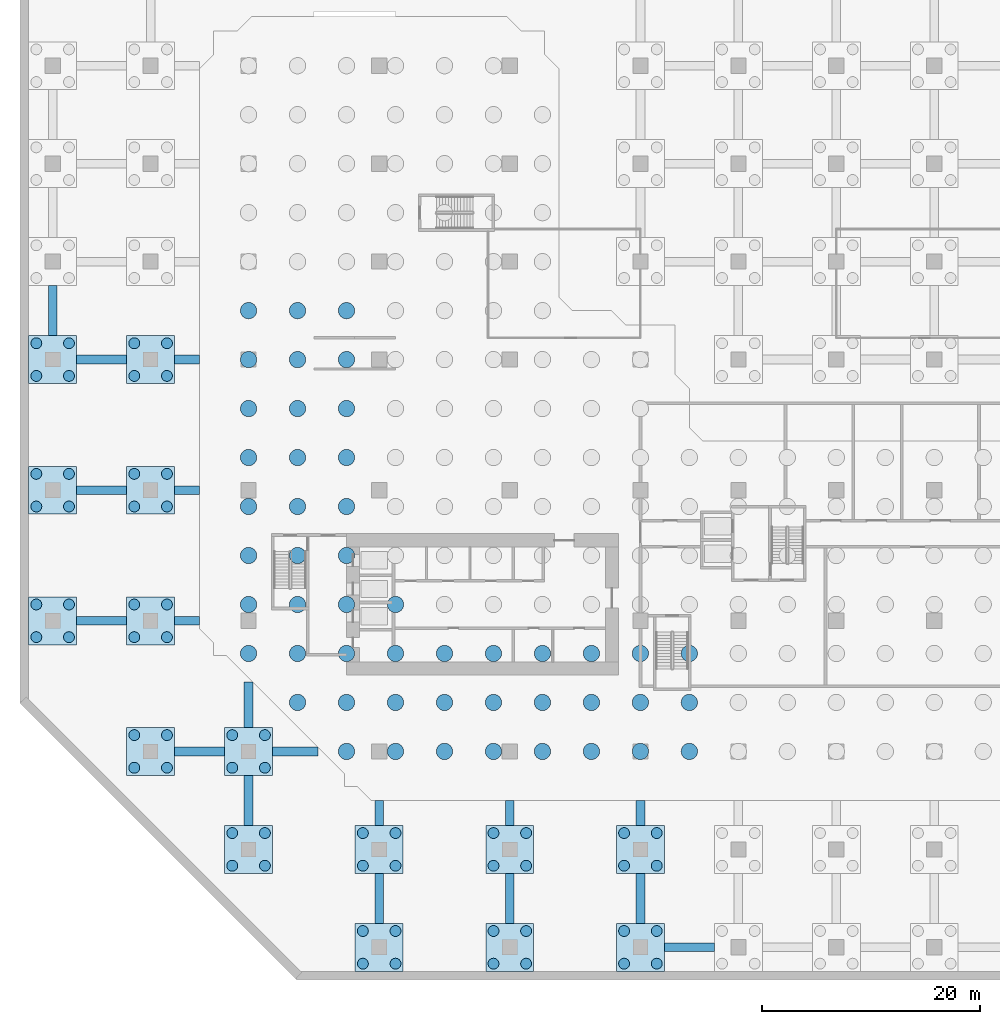
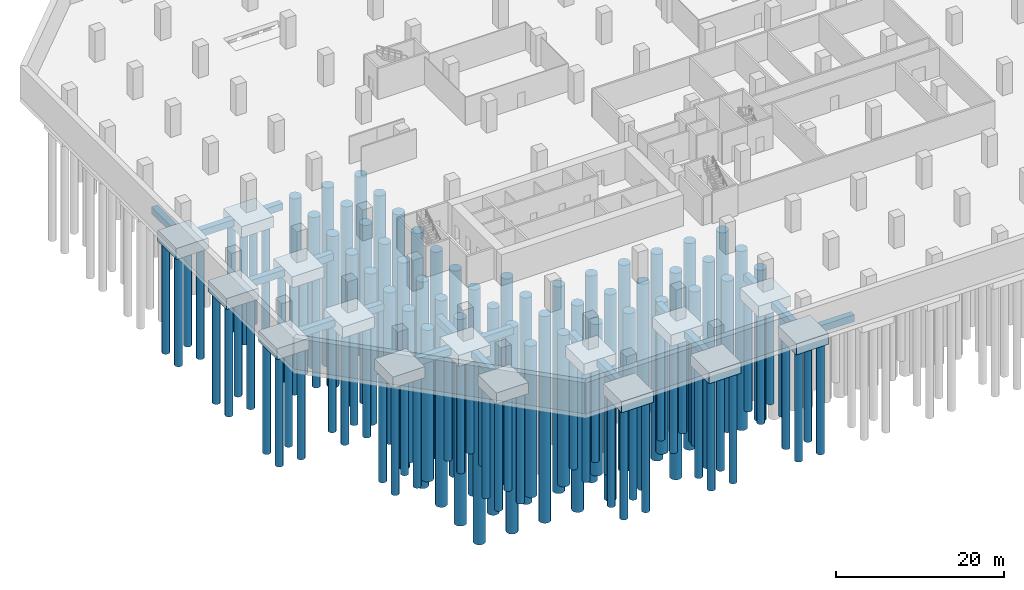
# One storey, part 1 of 13: 109 piles, 33 footings.
"""IFC4 building model written with IfcOpenShell, lengths in metres."""

from ifc_helpers import new_model, si_unit, direction, frame, origin, origin_2d, place, context, subcontext, project, spatial, polyline, circle, outline, extrude, material, layer, layer_set, material_profile, profile_set, type_object, element, save


model = new_model("IFC4")

# Units and contexts
model_context = context("Model", 3, precision=1e-05, world=origin(), true_north=direction((0.0, 1.0)))
body_context = subcontext(model_context, "Body", "Model", "MODEL_VIEW")
ifc_project = project(units=[si_unit("LENGTHUNIT", "METRE"), si_unit("AREAUNIT", "SQUARE_METRE"), si_unit("VOLUMEUNIT", "CUBIC_METRE"), si_unit("PLANEANGLEUNIT", "RADIAN"), si_unit("MASSUNIT", "GRAM", prefix="KILO")], contexts=[model_context])

# Site, building, storey
site_placement = place(None, origin())
site = spatial("IfcSite", under=ifc_project, at=site_placement, CompositionType="ELEMENT")
building_placement = place(site_placement, origin())
building = spatial("IfcBuilding", under=site, at=building_placement, Name="Chenar Terraces", CompositionType="ELEMENT")
storey_placement = place(building_placement, frame((0.0, 0.0, -13.5)))
storey = spatial("IfcBuildingStorey", under=building, at=storey_placement, Name="B3", CompositionType="ELEMENT", Elevation=-13.5)

# Piles
ifc_material_1 = material(Name="Concrete C40/50 sulfate-resisting", Category="concrete")
ifc_material_profile_1 = material_profile(ifc_material_1, circle(Radius=0.5, at=origin_2d()), Name="BP 1000")
ifc_profile_set_1 = profile_set([ifc_material_profile_1], Name="Concrete C40/50 sulfate-resisting")
pile_type_1 = type_object("IfcPileType", Name="Bored pile 1000", PredefinedType="BORED", material=ifc_profile_set_1)
for number, where, z_axis, x_axis, name in (
    (1, (-19.5, 10.5, -2.10009765625), (0.0, 0.0, -1.0), (1.0, 0.0, 0.0), "Pile 3/F 1"),
    (2, (-16.5, 10.5, -2.10009765625), (0.0, 0.0, -1.0), (1.0, 0.0, 0.0), "Pile 3/F 2"),
    (3, (-19.5, 13.5, -2.10009765625), (0.0, 0.0, -1.0), (1.0, 0.0, 0.0), "Pile 3/F 3"),
    (4, (-16.5, 13.5, -2.10009765625), (0.0, 0.0, -1.0), (1.0, 0.0, 0.0), "Pile 3/F 4"),
    (5, (-19.5, 22.5, -2.10009765625), (0.0, 0.0, -1.0), (1.0, 0.0, 0.0), "Pile 3/G 1"),
    (6, (-16.5, 22.5, -2.10009765625), (0.0, 0.0, -1.0), (1.0, 0.0, 0.0), "Pile 3/G 2"),
    (7, (-19.5, 25.5, -2.10009765625), (0.0, 0.0, -1.0), (1.0, 0.0, 0.0), "Pile 3/G 3"),
    (8, (-16.5, 25.5, -2.10009765625), (0.0, 0.0, -1.0), (1.0, 0.0, 0.0), "Pile 3/G 4"),
    (9, (-19.5, 34.5, -2.10009765625), (0.0, 0.0, -1.0), (1.0, 0.0, 0.0), "Pile 3/H 1"),
    (10, (-16.5, 34.5, -2.10009765625), (0.0, 0.0, -1.0), (1.0, 0.0, 0.0), "Pile 3/H 2"),
    (11, (-19.5, 37.5, -2.10009765625), (0.0, 0.0, -1.0), (1.0, 0.0, 0.0), "Pile 3/H 3"),
    (12, (-16.5, 37.5, -2.10009765625), (0.0, 0.0, -1.0), (1.0, 0.0, 0.0), "Pile 3/H 4"),
    (13, (-10.5, -1.5, -2.10009765625), (0.0, 0.0, -1.0), (1.0, 0.0, 0.0), "Pile 4/E 1"),
    (14, (-7.5, -1.5, -2.10009765625), (0.0, 0.0, -1.0), (1.0, 0.0, 0.0), "Pile 4/E 2"),
    (15, (-10.5, 1.5, -2.10009765625), (0.0, 0.0, -1.0), (1.0, 0.0, 0.0), "Pile 4/E 3"),
    (16, (-7.5, 1.5, -2.10009765625), (0.0, 0.0, -1.0), (1.0, 0.0, 0.0), "Pile 4/E 4"),
    (17, (-10.5, 10.5, -2.10009765625), (0.0, 0.0, -1.0), (1.0, 0.0, 0.0), "Pile 4/F 1"),
    (18, (-7.5, 10.5, -2.10009765625), (0.0, 0.0, -1.0), (1.0, 0.0, 0.0), "Pile 4/F 2"),
    (19, (-10.5, 13.5, -2.10009765625), (0.0, 0.0, -1.0), (1.0, 0.0, 0.0), "Pile 4/F 3"),
    (20, (-7.5, 13.5, -2.10009765625), (0.0, 0.0, -1.0), (1.0, 0.0, 0.0), "Pile 4/F 4"),
    (21, (-10.5, 22.5, -2.10009765625), (0.0, 0.0, -1.0), (1.0, 0.0, 0.0), "Pile 4/G 1"),
    (22, (-7.5, 22.5, -2.10009765625), (0.0, 0.0, -1.0), (1.0, 0.0, 0.0), "Pile 4/G 2"),
    (23, (-10.5, 25.5, -2.10009765625), (0.0, 0.0, -1.0), (1.0, 0.0, 0.0), "Pile 4/G 3"),
    (24, (-7.5, 25.5, -2.10009765625), (0.0, 0.0, -1.0), (1.0, 0.0, 0.0), "Pile 4/G 4"),
    (25, (-10.5, 34.5, -2.10009765625), (0.0, 0.0, -1.0), (1.0, 0.0, 0.0), "Pile 4/H 1"),
    (26, (-7.5, 34.5, -2.10009765625), (0.0, 0.0, -1.0), (1.0, 0.0, 0.0), "Pile 4/H 2"),
    (27, (-10.5, 37.5, -2.10009765625), (0.0, 0.0, -1.0), (1.0, 0.0, 0.0), "Pile 4/H 3"),
    (28, (-7.5, 37.5, -2.10009765625), (0.0, 0.0, -1.0), (1.0, 0.0, 0.0), "Pile 4/H 4"),
    (29, (-1.5, -10.5, -2.10009765625), (0.0, 0.0, -1.0), (1.0, 0.0, 0.0), "Pile 5/D 1"),
    (30, (1.5, -10.5, -2.10009765625), (0.0, 0.0, -1.0), (1.0, 0.0, 0.0), "Pile 5/D 2"),
    (31, (-1.5, -7.5, -2.10009765625), (0.0, 0.0, -1.0), (1.0, 0.0, 0.0), "Pile 5/D 3"),
    (32, (1.5, -7.5, -2.10009765625), (0.0, 0.0, -1.0), (1.0, 0.0, 0.0), "Pile 5/D 4"),
    (33, (-1.5, -1.5, -2.10009765625), (0.0, 0.0, -1.0), (1.0, 0.0, 0.0), "Pile 5/E 1"),
    (34, (1.5, -1.5, -2.10009765625), (0.0, 0.0, -1.0), (1.0, 0.0, 0.0), "Pile 5/E 2"),
    (35, (-1.5, 1.5, -2.10009765625), (0.0, 0.0, -1.0), (1.0, 0.0, 0.0), "Pile 5/E 3"),
    (36, (1.5, 1.5, -2.10009765625), (0.0, 0.0, -1.0), (1.0, 0.0, 0.0), "Pile 5/E 4"),
    (37, (10.5, -19.5, -2.10009765625), (0.0, 0.0, -1.0), (1.0, 0.0, 0.0), "Pile 6/C 1"),
    (38, (13.5, -19.5, -2.10009765625), (0.0, 0.0, -1.0), (1.0, 0.0, 0.0), "Pile 6/C 2"),
    (39, (10.5, -16.5, -2.10009765625), (0.0, 0.0, -1.0), (1.0, 0.0, 0.0), "Pile 6/C 3"),
    (40, (13.5, -16.5, -2.10009765625), (0.0, 0.0, -1.0), (1.0, 0.0, 0.0), "Pile 6/C 4"),
    (41, (10.5, -10.5, -2.10009765625), (0.0, 0.0, -1.0), (1.0, 0.0, 0.0), "Pile 6/D 1"),
    (42, (13.5, -10.5, -2.10009765625), (0.0, 0.0, -1.0), (1.0, 0.0, 0.0), "Pile 6/D 2"),
    (43, (10.5, -7.5, -2.10009765625), (0.0, 0.0, -1.0), (1.0, 0.0, 0.0), "Pile 6/D 3"),
    (44, (13.5, -7.5, -2.10009765625), (0.0, 0.0, -1.0), (1.0, 0.0, 0.0), "Pile 6/D 4"),
    (45, (22.5, -19.5, -2.10009765625), (0.0, 0.0, -1.0), (1.0, 0.0, 0.0), "Pile 7/C 1"),
    (46, (25.5, -19.5, -2.10009765625), (0.0, 0.0, -1.0), (1.0, 0.0, 0.0), "Pile 7/C 2"),
    (47, (22.5, -16.5, -2.10009765625), (0.0, 0.0, -1.0), (1.0, 0.0, 0.0), "Pile 7/C 3"),
    (48, (25.5, -16.5, -2.10009765625), (0.0, 0.0, -1.0), (1.0, 0.0, 0.0), "Pile 7/C 4"),
    (49, (22.5, -10.5, -2.10009765625), (0.0, 0.0, -1.0), (1.0, 0.0, 0.0), "Pile 7/D 1"),
    (50, (25.5, -10.5, -2.10009765625), (0.0, 0.0, -1.0), (1.0, 0.0, 0.0), "Pile 7/D 2"),
    (51, (22.5, -7.5, -2.10009765625), (0.0, 0.0, -1.0), (1.0, 0.0, 0.0), "Pile 7/D 3"),
    (52, (25.5, -7.5, -2.10009765625), (0.0, 0.0, -1.0), (1.0, 0.0, 0.0), "Pile 7/D 4"),
    (53, (34.5, -19.5, -2.10009765625), (0.0, 0.0, -1.0), (1.0, 0.0, 0.0), "Pile 8/C 1"),
    (54, (37.5, -19.5, -2.10009765625), (0.0, 0.0, -1.0), (1.0, 0.0, 0.0), "Pile 8/C 2"),
    (55, (34.5, -16.5, -2.10009765625), (0.0, 0.0, -1.0), (1.0, 0.0, 0.0), "Pile 8/C 3"),
    (56, (37.5, -16.5, -2.10009765625), (0.0, 0.0, -1.0), (1.0, 0.0, 0.0), "Pile 8/C 4"),
    (57, (34.5, -10.5, -2.10009765625), (0.0, 0.0, -1.0), (1.0, 0.0, 0.0), "Pile 8/D 1"),
    (58, (37.5, -10.5, -2.10009765625), (0.0, 0.0, -1.0), (1.0, 0.0, 0.0), "Pile 8/D 2"),
    (59, (34.5, -7.5, -2.10009765625), (0.0, 0.0, -1.0), (1.0, 0.0, 0.0), "Pile 8/D 3"),
    (60, (37.5, -7.5, -2.10009765625), (0.0, 0.0, -1.0), (1.0, 0.0, 0.0), "Pile 8/D 4"),
):
    element("IfcPile", number, at=place(storey_placement, frame(where, z_axis=z_axis, x_axis=x_axis)), inside=storey, type_object=pile_type_1, Name=name, PredefinedType="BORED", context=body_context, shape_type="SweptSolid", body=[
        extrude(circle(Radius=0.5, at=origin_2d()), origin(), (0.0, 0.0, 1.0), 16.0),
    ])
ifc_material_2 = material(Name="Concrete C40/50 sulfate-resisting", Category="concrete")
ifc_material_profile_2 = material_profile(ifc_material_2, circle(Radius=0.75, at=origin_2d()), Name="BP 1500")
ifc_profile_set_2 = profile_set([ifc_material_profile_2], Name="Concrete C40/50 sulfate-resisting")
pile_type_2 = type_object("IfcPileType", Name="Bored pile 1500", PredefinedType="BORED", material=ifc_profile_set_2)
for number, where, z_axis, x_axis, name in (
    (61, (9.0, 0.0, -4.0), (0.0, 0.0, -1.0), (1.0, 0.0, 0.0), "Raft pile 1"),
    (62, (13.5, 0.0, -4.0), (0.0, 0.0, -1.0), (1.0, 0.0, 0.0), "Raft pile 2"),
    (63, (18.0, 0.0, -4.0), (0.0, 0.0, -1.0), (1.0, 0.0, 0.0), "Raft pile 3"),
    (64, (22.5, 0.0, -4.0), (0.0, 0.0, -1.0), (1.0, 0.0, 0.0), "Raft pile 4"),
    (65, (27.0, 0.0, -4.0), (0.0, 0.0, -1.0), (1.0, 0.0, 0.0), "Raft pile 5"),
    (66, (31.5, 0.0, -4.0), (0.0, 0.0, -1.0), (1.0, 0.0, 0.0), "Raft pile 6"),
    (67, (36.0, 0.0, -4.0), (0.0, 0.0, -1.0), (1.0, 0.0, 0.0), "Raft pile 7"),
    (68, (40.5, 0.0, -4.0), (0.0, 0.0, -1.0), (1.0, 0.0, 0.0), "Raft pile 8"),
):
    element("IfcPile", number, at=place(storey_placement, frame(where, z_axis=z_axis, x_axis=x_axis)), inside=storey, type_object=pile_type_2, Name=name, PredefinedType="BORED", context=body_context, shape_type="SweptSolid", body=[
        extrude(circle(Radius=0.75, at=origin_2d()), origin(), (0.0, 0.0, 1.0), 22.0),
    ])
for number, where, z_axis, x_axis, name in (
    (69, (4.5, 4.5, -4.0), (0.0, 0.0, -1.0), (1.0, 0.0, 0.0), "Raft pile 16"),
    (70, (9.0, 4.5, -4.0), (0.0, 0.0, -1.0), (1.0, 0.0, 0.0), "Raft pile 17"),
    (71, (13.5, 4.5, -4.0), (0.0, 0.0, -1.0), (1.0, 0.0, 0.0), "Raft pile 18"),
    (72, (18.0, 4.5, -4.0), (0.0, 0.0, -1.0), (1.0, 0.0, 0.0), "Raft pile 19"),
    (73, (22.5, 4.5, -4.0), (0.0, 0.0, -1.0), (1.0, 0.0, 0.0), "Raft pile 20"),
    (74, (27.0, 4.5, -4.0), (0.0, 0.0, -1.0), (1.0, 0.0, 0.0), "Raft pile 21"),
    (75, (31.5, 4.5, -4.0), (0.0, 0.0, -1.0), (1.0, 0.0, 0.0), "Raft pile 22"),
    (76, (36.0, 4.5, -4.0), (0.0, 0.0, -1.0), (1.0, 0.0, 0.0), "Raft pile 23"),
):
    element("IfcPile", number, at=place(storey_placement, frame(where, z_axis=z_axis, x_axis=x_axis)), inside=storey, type_object=pile_type_2, Name=name, PredefinedType="BORED", context=body_context, shape_type="SweptSolid", body=[
        extrude(circle(Radius=0.75, at=origin_2d()), origin(), (0.0, 0.0, 1.0), 30.0),
    ])
pile_1_placement = place(storey_placement, frame((40.5, 4.5, -4.0), z_axis=(0.0, 0.0, -1.0), x_axis=(1.0, 0.0, 0.0)))
element("IfcPile", 77, at=pile_1_placement, inside=storey, type_object=pile_type_2, Name="Raft pile 24", PredefinedType="BORED", context=body_context, shape_type="SweptSolid", body=[
    extrude(circle(Radius=0.75, at=origin_2d()), origin(), (0.0, 0.0, 1.0), 26.0),
])
pile_2_placement = place(storey_placement, frame((0.0, 9.0, -4.0), z_axis=(0.0, 0.0, -1.0), x_axis=(1.0, 0.0, 0.0)))
element("IfcPile", 78, at=pile_2_placement, inside=storey, type_object=pile_type_2, Name="Raft pile 32", PredefinedType="BORED", context=body_context, shape_type="SweptSolid", body=[
    extrude(circle(Radius=0.75, at=origin_2d()), origin(), (0.0, 0.0, 1.0), 22.0),
])
for number, where, z_axis, x_axis, name in (
    (79, (4.5, 9.0, -4.0), (0.0, 0.0, -1.0), (1.0, 0.0, 0.0), "Raft pile 33"),
    (80, (9.0, 9.0, -4.0), (0.0, 0.0, -1.0), (1.0, 0.0, 0.0), "Raft pile 34"),
    (81, (13.5, 9.0, -4.0), (0.0, 0.0, -1.0), (1.0, 0.0, 0.0), "Raft pile 35"),
    (82, (18.0, 9.0, -4.0), (0.0, 0.0, -1.0), (1.0, 0.0, 0.0), "Raft pile 36"),
    (83, (22.5, 9.0, -4.0), (0.0, 0.0, -1.0), (1.0, 0.0, 0.0), "Raft pile 37"),
    (84, (27.0, 9.0, -4.0), (0.0, 0.0, -1.0), (1.0, 0.0, 0.0), "Raft pile 38"),
    (85, (31.5, 9.0, -4.0), (0.0, 0.0, -1.0), (1.0, 0.0, 0.0), "Raft pile 39"),
    (86, (36.0, 9.0, -4.0), (0.0, 0.0, -1.0), (1.0, 0.0, 0.0), "Raft pile 40"),
):
    element("IfcPile", number, at=place(storey_placement, frame(where, z_axis=z_axis, x_axis=x_axis)), inside=storey, type_object=pile_type_2, Name=name, PredefinedType="BORED", context=body_context, shape_type="SweptSolid", body=[
        extrude(circle(Radius=0.75, at=origin_2d()), origin(), (0.0, 0.0, 1.0), 30.0),
    ])
pile_3_placement = place(storey_placement, frame((40.5, 9.0, -4.0), z_axis=(0.0, 0.0, -1.0), x_axis=(1.0, 0.0, 0.0)))
element("IfcPile", 87, at=pile_3_placement, inside=storey, type_object=pile_type_2, Name="Raft pile 41", PredefinedType="BORED", context=body_context, shape_type="SweptSolid", body=[
    extrude(circle(Radius=0.75, at=origin_2d()), origin(), (0.0, 0.0, 1.0), 26.0),
])
pile_4_placement = place(storey_placement, frame((0.0, 13.5, -4.0), z_axis=(0.0, 0.0, -1.0), x_axis=(1.0, 0.0, 0.0)))
element("IfcPile", 88, at=pile_4_placement, inside=storey, type_object=pile_type_2, Name="Raft pile 49", PredefinedType="BORED", context=body_context, shape_type="SweptSolid", body=[
    extrude(circle(Radius=0.75, at=origin_2d()), origin(), (0.0, 0.0, 1.0), 22.0),
])
for number, where, z_axis, x_axis, name in (
    (89, (4.5, 13.5, -4.0), (0.0, 0.0, -1.0), (1.0, 0.0, 0.0), "Raft pile 50"),
    (90, (9.0, 13.5, -4.0), (0.0, 0.0, -1.0), (1.0, 0.0, 0.0), "Raft pile 51"),
    (91, (13.5, 13.5, -4.0), (0.0, 0.0, -1.0), (1.0, 0.0, 0.0), "Raft pile 52"),
):
    element("IfcPile", number, at=place(storey_placement, frame(where, z_axis=z_axis, x_axis=x_axis)), inside=storey, type_object=pile_type_2, Name=name, PredefinedType="BORED", context=body_context, shape_type="SweptSolid", body=[
        extrude(circle(Radius=0.75, at=origin_2d()), origin(), (0.0, 0.0, 1.0), 30.0),
    ])
pile_5_placement = place(storey_placement, frame((0.0, 18.0, -4.0), z_axis=(0.0, 0.0, -1.0), x_axis=(1.0, 0.0, 0.0)))
element("IfcPile", 92, at=pile_5_placement, inside=storey, type_object=pile_type_2, Name="Raft pile 66", PredefinedType="BORED", context=body_context, shape_type="SweptSolid", body=[
    extrude(circle(Radius=0.75, at=origin_2d()), origin(), (0.0, 0.0, 1.0), 22.0),
])
for number, where, z_axis, x_axis, name in (
    (93, (4.5, 18.0, -4.0), (0.0, 0.0, -1.0), (1.0, 0.0, 0.0), "Raft pile 67"),
    (94, (9.0, 18.0, -4.0), (0.0, 0.0, -1.0), (1.0, 0.0, 0.0), "Raft pile 68"),
):
    element("IfcPile", number, at=place(storey_placement, frame(where, z_axis=z_axis, x_axis=x_axis)), inside=storey, type_object=pile_type_2, Name=name, PredefinedType="BORED", context=body_context, shape_type="SweptSolid", body=[
        extrude(circle(Radius=0.75, at=origin_2d()), origin(), (0.0, 0.0, 1.0), 30.0),
    ])
pile_6_placement = place(storey_placement, frame((0.0, 22.5, -4.0), z_axis=(0.0, 0.0, -1.0), x_axis=(1.0, 0.0, 0.0)))
element("IfcPile", 95, at=pile_6_placement, inside=storey, type_object=pile_type_2, Name="Raft pile 83", PredefinedType="BORED", context=body_context, shape_type="SweptSolid", body=[
    extrude(circle(Radius=0.75, at=origin_2d()), origin(), (0.0, 0.0, 1.0), 22.0),
])
for number, where, z_axis, x_axis, name in (
    (96, (4.5, 22.5, -4.0), (0.0, 0.0, -1.0), (1.0, 0.0, 0.0), "Raft pile 84"),
    (97, (9.0, 22.5, -4.0), (0.0, 0.0, -1.0), (1.0, 0.0, 0.0), "Raft pile 85"),
):
    element("IfcPile", number, at=place(storey_placement, frame(where, z_axis=z_axis, x_axis=x_axis)), inside=storey, type_object=pile_type_2, Name=name, PredefinedType="BORED", context=body_context, shape_type="SweptSolid", body=[
        extrude(circle(Radius=0.75, at=origin_2d()), origin(), (0.0, 0.0, 1.0), 30.0),
    ])
pile_7_placement = place(storey_placement, frame((0.0, 27.0, -4.0), z_axis=(0.0, 0.0, -1.0), x_axis=(1.0, 0.0, 0.0)))
element("IfcPile", 98, at=pile_7_placement, inside=storey, type_object=pile_type_2, Name="Raft pile 100", PredefinedType="BORED", context=body_context, shape_type="SweptSolid", body=[
    extrude(circle(Radius=0.75, at=origin_2d()), origin(), (0.0, 0.0, 1.0), 22.0),
])
for number, where, z_axis, x_axis, name in (
    (99, (4.5, 27.0, -4.0), (0.0, 0.0, -1.0), (1.0, 0.0, 0.0), "Raft pile 101"),
    (100, (9.0, 27.0, -4.0), (0.0, 0.0, -1.0), (1.0, 0.0, 0.0), "Raft pile 102"),
):
    element("IfcPile", number, at=place(storey_placement, frame(where, z_axis=z_axis, x_axis=x_axis)), inside=storey, type_object=pile_type_2, Name=name, PredefinedType="BORED", context=body_context, shape_type="SweptSolid", body=[
        extrude(circle(Radius=0.75, at=origin_2d()), origin(), (0.0, 0.0, 1.0), 26.0),
    ])
pile_8_placement = place(storey_placement, frame((0.0, 31.5, -4.0), z_axis=(0.0, 0.0, -1.0), x_axis=(1.0, 0.0, 0.0)))
element("IfcPile", 101, at=pile_8_placement, inside=storey, type_object=pile_type_2, Name="Raft pile 116", PredefinedType="BORED", context=body_context, shape_type="SweptSolid", body=[
    extrude(circle(Radius=0.75, at=origin_2d()), origin(), (0.0, 0.0, 1.0), 22.0),
])
for number, where, z_axis, x_axis, name in (
    (102, (4.5, 31.5, -4.0), (0.0, 0.0, -1.0), (1.0, 0.0, 0.0), "Raft pile 117"),
    (103, (9.0, 31.5, -4.0), (0.0, 0.0, -1.0), (1.0, 0.0, 0.0), "Raft pile 118"),
):
    element("IfcPile", number, at=place(storey_placement, frame(where, z_axis=z_axis, x_axis=x_axis)), inside=storey, type_object=pile_type_2, Name=name, PredefinedType="BORED", context=body_context, shape_type="SweptSolid", body=[
        extrude(circle(Radius=0.75, at=origin_2d()), origin(), (0.0, 0.0, 1.0), 26.0),
    ])
pile_9_placement = place(storey_placement, frame((0.0, 36.0, -4.0), z_axis=(0.0, 0.0, -1.0), x_axis=(1.0, 0.0, 0.0)))
element("IfcPile", 104, at=pile_9_placement, inside=storey, type_object=pile_type_2, Name="Raft pile 125", PredefinedType="BORED", context=body_context, shape_type="SweptSolid", body=[
    extrude(circle(Radius=0.75, at=origin_2d()), origin(), (0.0, 0.0, 1.0), 22.0),
])
for number, where, z_axis, x_axis, name in (
    (105, (4.5, 36.0, -4.0), (0.0, 0.0, -1.0), (1.0, 0.0, 0.0), "Raft pile 126"),
    (106, (9.0, 36.0, -4.0), (0.0, 0.0, -1.0), (1.0, 0.0, 0.0), "Raft pile 127"),
):
    element("IfcPile", number, at=place(storey_placement, frame(where, z_axis=z_axis, x_axis=x_axis)), inside=storey, type_object=pile_type_2, Name=name, PredefinedType="BORED", context=body_context, shape_type="SweptSolid", body=[
        extrude(circle(Radius=0.75, at=origin_2d()), origin(), (0.0, 0.0, 1.0), 26.0),
    ])
pile_10_placement = place(storey_placement, frame((0.0, 40.5, -4.0), z_axis=(0.0, 0.0, -1.0), x_axis=(1.0, 0.0, 0.0)))
element("IfcPile", 107, at=pile_10_placement, inside=storey, type_object=pile_type_2, Name="Raft pile 134", PredefinedType="BORED", context=body_context, shape_type="SweptSolid", body=[
    extrude(circle(Radius=0.75, at=origin_2d()), origin(), (0.0, 0.0, 1.0), 22.0),
])
for number, where, z_axis, x_axis, name in (
    (108, (4.5, 40.5, -4.0), (0.0, 0.0, -1.0), (1.0, 0.0, 0.0), "Raft pile 135"),
    (109, (9.0, 40.5, -4.0), (0.0, 0.0, -1.0), (1.0, 0.0, 0.0), "Raft pile 136"),
):
    element("IfcPile", number, at=place(storey_placement, frame(where, z_axis=z_axis, x_axis=x_axis)), inside=storey, type_object=pile_type_2, Name=name, PredefinedType="BORED", context=body_context, shape_type="SweptSolid", body=[
        extrude(circle(Radius=0.75, at=origin_2d()), origin(), (0.0, 0.0, 1.0), 26.0),
    ])

# Footings
ifc_material_3 = material(Name="Concrete C40/50 sulfate-resisting", Category="concrete")
ifc_layer_1 = layer(ifc_material_3, 1.0)
ifc_layer_set_1 = layer_set([ifc_layer_1], Name="Concrete C40/50 sulfate-resisting")
footing_type_1 = type_object("IfcFootingType", Name="Footing tie beam 800 x 1000", PredefinedType="FOOTING_BEAM", material=ifc_layer_set_1)
placement_1 = place(storey_placement, frame((0.0, 0.0, -1.60009765625)))
element("IfcFooting", 110, at=placement_1, inside=storey, type_object=footing_type_1, Name="Footing tie beam 3F-10", PredefinedType="FOOTING_BEAM", context=body_context, shape_type="SweptSolid", body=[
    extrude(outline(polyline([(-11.199951171875, 11.60009765625), (-11.199951171875, 12.39990234375), (-15.800048828125, 12.39990234375), (-15.800048828125, 11.60009765625), (-11.199951171875, 11.60009765625)])), origin(), (0.0, 0.0, 1.0), 1.0),
])
element("IfcFooting", 111, at=placement_1, inside=storey, type_object=footing_type_1, Name="Footing tie beam 3G-10", PredefinedType="FOOTING_BEAM", context=body_context, shape_type="SweptSolid", body=[
    extrude(outline(polyline([(-11.199951171875, 23.60009765625), (-11.199951171875, 24.39990234375), (-15.800048828125, 24.39990234375), (-15.800048828125, 23.60009765625), (-11.199951171875, 23.60009765625)])), origin(), (0.0, 0.0, 1.0), 1.0),
])
element("IfcFooting", 112, at=placement_1, inside=storey, type_object=footing_type_1, Name="Footing tie beam 3H-10", PredefinedType="FOOTING_BEAM", context=body_context, shape_type="SweptSolid", body=[
    extrude(outline(polyline([(-11.199951171875, 35.60009765625), (-11.199951171875, 36.39990234375), (-15.800048828125, 36.39990234375), (-15.800048828125, 35.60009765625), (-11.199951171875, 35.60009765625)])), origin(), (0.0, 0.0, 1.0), 1.0),
])
element("IfcFooting", 113, at=placement_1, inside=storey, type_object=footing_type_1, Name="Footing tie beam 3H-01", PredefinedType="FOOTING_BEAM", context=body_context, shape_type="SweptSolid", body=[
    extrude(outline(polyline([(-17.60009765625, 38.199951171875), (-17.60009765625, 42.800048828125), (-18.39990234375, 42.800048828125), (-18.39990234375, 38.199951171875), (-17.60009765625, 38.199951171875)])), origin(), (0.0, 0.0, 1.0), 1.0),
])
element("IfcFooting", 114, at=placement_1, inside=storey, type_object=footing_type_1, Name="Footing tie beam 4E-10", PredefinedType="FOOTING_BEAM", context=body_context, shape_type="SweptSolid", body=[
    extrude(outline(polyline([(-2.199951171875, -0.39990234375), (-2.199951171875, 0.39990234375), (-6.800048828125, 0.39990234375), (-6.800048828125, -0.39990234375), (-2.199951171875, -0.39990234375)])), origin(), (0.0, 0.0, 1.0), 1.0),
])
element("IfcFooting", 115, at=placement_1, inside=storey, type_object=footing_type_1, Name="Footing tie beam 4F-10", PredefinedType="FOOTING_BEAM", context=body_context, shape_type="SweptSolid", body=[
    extrude(outline(polyline([(-4.5, 11.60009765625), (-4.5, 12.39990234375), (-6.800048828125, 12.39990234375), (-6.800048828125, 11.60009765625), (-4.5, 11.60009765625)])), origin(), (0.0, 0.0, 1.0), 1.0),
])
element("IfcFooting", 116, at=placement_1, inside=storey, type_object=footing_type_1, Name="Footing tie beam 4G-10", PredefinedType="FOOTING_BEAM", context=body_context, shape_type="SweptSolid", body=[
    extrude(outline(polyline([(-4.5, 23.60009765625), (-4.5, 24.39990234375), (-6.800048828125, 24.39990234375), (-6.800048828125, 23.60009765625), (-4.5, 23.60009765625)])), origin(), (0.0, 0.0, 1.0), 1.0),
])
element("IfcFooting", 117, at=placement_1, inside=storey, type_object=footing_type_1, Name="Footing tie beam 4H-10", PredefinedType="FOOTING_BEAM", context=body_context, shape_type="SweptSolid", body=[
    extrude(outline(polyline([(-4.5, 35.60009765625), (-4.5, 36.39990234375), (-6.800048828125, 36.39990234375), (-6.800048828125, 35.60009765625), (-4.5, 35.60009765625)])), origin(), (0.0, 0.0, 1.0), 1.0),
])
element("IfcFooting", 118, at=placement_1, inside=storey, type_object=footing_type_1, Name="Footing tie beam 5D-01", PredefinedType="FOOTING_BEAM", context=body_context, shape_type="SweptSolid", body=[
    extrude(outline(polyline([(0.39990234375, -6.800048828125), (0.39990234375, -2.199951171875), (-0.39990234375, -2.199951171875), (-0.39990234375, -6.800048828125), (0.39990234375, -6.800048828125)])), origin(), (0.0, 0.0, 1.0), 1.0),
])
element("IfcFooting", 119, at=placement_1, inside=storey, type_object=footing_type_1, Name="Footing tie beam 5E-10", PredefinedType="FOOTING_BEAM", context=body_context, shape_type="SweptSolid", body=[
    extrude(outline(polyline([(6.357421875, -0.39990234375), (6.357421875, 0.39990234375), (2.199951171875, 0.39990234375), (2.199951171875, -0.39990234375), (6.357421875, -0.39990234375)])), origin(), (0.0, 0.0, 1.0), 1.0),
])
element("IfcFooting", 120, at=placement_1, inside=storey, type_object=footing_type_1, Name="Footing tie beam 5E-01", PredefinedType="FOOTING_BEAM", context=body_context, shape_type="SweptSolid", body=[
    extrude(outline(polyline([(0.39990234375, 2.199951171875), (0.39990234375, 6.357421875), (-0.39990234375, 6.357421875), (-0.39990234375, 2.199951171875), (0.39990234375, 2.199951171875)])), origin(), (0.0, 0.0, 1.0), 1.0),
])
element("IfcFooting", 121, at=placement_1, inside=storey, type_object=footing_type_1, Name="Footing tie beam 6C-01", PredefinedType="FOOTING_BEAM", context=body_context, shape_type="SweptSolid", body=[
    extrude(outline(polyline([(12.39990234375, -15.800048828125), (12.39990234375, -11.199951171875), (11.60009765625, -11.199951171875), (11.60009765625, -15.800048828125), (12.39990234375, -15.800048828125)])), origin(), (0.0, 0.0, 1.0), 1.0),
])
element("IfcFooting", 122, at=placement_1, inside=storey, type_object=footing_type_1, Name="Footing tie beam 6D-01", PredefinedType="FOOTING_BEAM", context=body_context, shape_type="SweptSolid", body=[
    extrude(outline(polyline([(12.39990234375, -6.800048828125), (12.39990234375, -4.5), (11.60009765625, -4.5), (11.60009765625, -6.800048828125), (12.39990234375, -6.800048828125)])), origin(), (0.0, 0.0, 1.0), 1.0),
])
element("IfcFooting", 123, at=placement_1, inside=storey, type_object=footing_type_1, Name="Footing tie beam 7C-01", PredefinedType="FOOTING_BEAM", context=body_context, shape_type="SweptSolid", body=[
    extrude(outline(polyline([(24.39990234375, -15.800048828125), (24.39990234375, -11.199951171875), (23.60009765625, -11.199951171875), (23.60009765625, -15.800048828125), (24.39990234375, -15.800048828125)])), origin(), (0.0, 0.0, 1.0), 1.0),
])
element("IfcFooting", 124, at=placement_1, inside=storey, type_object=footing_type_1, Name="Footing tie beam 7D-01", PredefinedType="FOOTING_BEAM", context=body_context, shape_type="SweptSolid", body=[
    extrude(outline(polyline([(24.39990234375, -6.800048828125), (24.39990234375, -4.5), (23.60009765625, -4.5), (23.60009765625, -6.800048828125), (24.39990234375, -6.800048828125)])), origin(), (0.0, 0.0, 1.0), 1.0),
])
element("IfcFooting", 125, at=placement_1, inside=storey, type_object=footing_type_1, Name="Footing tie beam 8C-10", PredefinedType="FOOTING_BEAM", context=body_context, shape_type="SweptSolid", body=[
    extrude(outline(polyline([(42.800048828125, -18.39990234375), (42.800048828125, -17.60009765625), (38.199951171875, -17.60009765625), (38.199951171875, -18.39990234375), (42.800048828125, -18.39990234375)])), origin(), (0.0, 0.0, 1.0), 1.0),
])
element("IfcFooting", 126, at=placement_1, inside=storey, type_object=footing_type_1, Name="Footing tie beam 8C-01", PredefinedType="FOOTING_BEAM", context=body_context, shape_type="SweptSolid", body=[
    extrude(outline(polyline([(36.39990234375, -15.800048828125), (36.39990234375, -11.199951171875), (35.60009765625, -11.199951171875), (35.60009765625, -15.800048828125), (36.39990234375, -15.800048828125)])), origin(), (0.0, 0.0, 1.0), 1.0),
])
element("IfcFooting", 127, at=placement_1, inside=storey, type_object=footing_type_1, Name="Footing tie beam 8D-01", PredefinedType="FOOTING_BEAM", context=body_context, shape_type="SweptSolid", body=[
    extrude(outline(polyline([(36.39990234375, -6.800048828125), (36.39990234375, -4.5), (35.60009765625, -4.5), (35.60009765625, -6.800048828125), (36.39990234375, -6.800048828125)])), origin(), (0.0, 0.0, 1.0), 1.0),
])
ifc_material_4 = material(Name="Concrete C40/50 sulfate-resisting", Category="concrete")
ifc_layer_2 = layer(ifc_material_4, 1.60009765625)
ifc_layer_set_2 = layer_set([ifc_layer_2], Name="Concrete C40/50 sulfate-resisting")
footing_type_2 = type_object("IfcFootingType", Name="Pile cap 4400 x 4400 x 1600", PredefinedType="PILE_CAP", material=ifc_layer_set_2)
placement_2 = place(storey_placement, frame((0.0, 0.0, -2.199951171875)))
element("IfcFooting", 128, at=placement_2, inside=storey, type_object=footing_type_2, Name="Pile cap 3/F", PredefinedType="PILE_CAP", context=body_context, shape_type="SweptSolid", body=[
    extrude(outline(polyline([(-15.800048828125, 9.800048828125), (-15.800048828125, 14.199951171875), (-20.199951171875, 14.199951171875), (-20.199951171875, 9.800048828125), (-15.800048828125, 9.800048828125)])), origin(), (0.0, 0.0, 1.0), 1.599853515625),
])
element("IfcFooting", 129, at=placement_2, inside=storey, type_object=footing_type_2, Name="Pile cap 3/G", PredefinedType="PILE_CAP", context=body_context, shape_type="SweptSolid", body=[
    extrude(outline(polyline([(-15.800048828125, 21.800048828125), (-15.800048828125, 26.199951171875), (-20.199951171875, 26.199951171875), (-20.199951171875, 21.800048828125), (-15.800048828125, 21.800048828125)])), origin(), (0.0, 0.0, 1.0), 1.599853515625),
])
element("IfcFooting", 130, at=placement_2, inside=storey, type_object=footing_type_2, Name="Pile cap 3/H", PredefinedType="PILE_CAP", context=body_context, shape_type="SweptSolid", body=[
    extrude(outline(polyline([(-15.800048828125, 33.800048828125), (-15.800048828125, 38.199951171875), (-20.199951171875, 38.199951171875), (-20.199951171875, 33.800048828125), (-15.800048828125, 33.800048828125)])), origin(), (0.0, 0.0, 1.0), 1.599853515625),
])
element("IfcFooting", 131, at=placement_2, inside=storey, type_object=footing_type_2, Name="Pile cap 4/E", PredefinedType="PILE_CAP", context=body_context, shape_type="SweptSolid", body=[
    extrude(outline(polyline([(-6.800048828125, -2.199951171875), (-6.800048828125, 2.199951171875), (-11.199951171875, 2.199951171875), (-11.199951171875, -2.199951171875), (-6.800048828125, -2.199951171875)])), origin(), (0.0, 0.0, 1.0), 1.599853515625),
])
element("IfcFooting", 132, at=placement_2, inside=storey, type_object=footing_type_2, Name="Pile cap 4/F", PredefinedType="PILE_CAP", context=body_context, shape_type="SweptSolid", body=[
    extrude(outline(polyline([(-6.800048828125, 9.800048828125), (-6.800048828125, 14.199951171875), (-11.199951171875, 14.199951171875), (-11.199951171875, 9.800048828125), (-6.800048828125, 9.800048828125)])), origin(), (0.0, 0.0, 1.0), 1.599853515625),
])
element("IfcFooting", 133, at=placement_2, inside=storey, type_object=footing_type_2, Name="Pile cap 4/G", PredefinedType="PILE_CAP", context=body_context, shape_type="SweptSolid", body=[
    extrude(outline(polyline([(-6.800048828125, 21.800048828125), (-6.800048828125, 26.199951171875), (-11.199951171875, 26.199951171875), (-11.199951171875, 21.800048828125), (-6.800048828125, 21.800048828125)])), origin(), (0.0, 0.0, 1.0), 1.599853515625),
])
element("IfcFooting", 134, at=placement_2, inside=storey, type_object=footing_type_2, Name="Pile cap 4/H", PredefinedType="PILE_CAP", context=body_context, shape_type="SweptSolid", body=[
    extrude(outline(polyline([(-6.800048828125, 33.800048828125), (-6.800048828125, 38.199951171875), (-11.199951171875, 38.199951171875), (-11.199951171875, 33.800048828125), (-6.800048828125, 33.800048828125)])), origin(), (0.0, 0.0, 1.0), 1.599853515625),
])
element("IfcFooting", 135, at=placement_2, inside=storey, type_object=footing_type_2, Name="Pile cap 5/D", PredefinedType="PILE_CAP", context=body_context, shape_type="SweptSolid", body=[
    extrude(outline(polyline([(2.199951171875, -11.199951171875), (2.199951171875, -6.800048828125), (-2.199951171875, -6.800048828125), (-2.199951171875, -11.199951171875), (2.199951171875, -11.199951171875)])), origin(), (0.0, 0.0, 1.0), 1.599853515625),
])
element("IfcFooting", 136, at=placement_2, inside=storey, type_object=footing_type_2, Name="Pile cap 5/E", PredefinedType="PILE_CAP", context=body_context, shape_type="SweptSolid", body=[
    extrude(outline(polyline([(2.199951171875, -2.199951171875), (2.199951171875, 2.199951171875), (-2.199951171875, 2.199951171875), (-2.199951171875, -2.199951171875), (2.199951171875, -2.199951171875)])), origin(), (0.0, 0.0, 1.0), 1.599853515625),
])
element("IfcFooting", 137, at=placement_2, inside=storey, type_object=footing_type_2, Name="Pile cap 6/C", PredefinedType="PILE_CAP", context=body_context, shape_type="SweptSolid", body=[
    extrude(outline(polyline([(14.199951171875, -20.199951171875), (14.199951171875, -15.800048828125), (9.800048828125, -15.800048828125), (9.800048828125, -20.199951171875), (14.199951171875, -20.199951171875)])), origin(), (0.0, 0.0, 1.0), 1.599853515625),
])
element("IfcFooting", 138, at=placement_2, inside=storey, type_object=footing_type_2, Name="Pile cap 6/D", PredefinedType="PILE_CAP", context=body_context, shape_type="SweptSolid", body=[
    extrude(outline(polyline([(14.199951171875, -11.199951171875), (14.199951171875, -6.800048828125), (9.800048828125, -6.800048828125), (9.800048828125, -11.199951171875), (14.199951171875, -11.199951171875)])), origin(), (0.0, 0.0, 1.0), 1.599853515625),
])
element("IfcFooting", 139, at=placement_2, inside=storey, type_object=footing_type_2, Name="Pile cap 7/C", PredefinedType="PILE_CAP", context=body_context, shape_type="SweptSolid", body=[
    extrude(outline(polyline([(26.199951171875, -20.199951171875), (26.199951171875, -15.800048828125), (21.800048828125, -15.800048828125), (21.800048828125, -20.199951171875), (26.199951171875, -20.199951171875)])), origin(), (0.0, 0.0, 1.0), 1.599853515625),
])
element("IfcFooting", 140, at=placement_2, inside=storey, type_object=footing_type_2, Name="Pile cap 7/D", PredefinedType="PILE_CAP", context=body_context, shape_type="SweptSolid", body=[
    extrude(outline(polyline([(26.199951171875, -11.199951171875), (26.199951171875, -6.800048828125), (21.800048828125, -6.800048828125), (21.800048828125, -11.199951171875), (26.199951171875, -11.199951171875)])), origin(), (0.0, 0.0, 1.0), 1.599853515625),
])
element("IfcFooting", 141, at=placement_2, inside=storey, type_object=footing_type_2, Name="Pile cap 8/C", PredefinedType="PILE_CAP", context=body_context, shape_type="SweptSolid", body=[
    extrude(outline(polyline([(38.199951171875, -20.199951171875), (38.199951171875, -15.800048828125), (33.800048828125, -15.800048828125), (33.800048828125, -20.199951171875), (38.199951171875, -20.199951171875)])), origin(), (0.0, 0.0, 1.0), 1.599853515625),
])
element("IfcFooting", 142, at=placement_2, inside=storey, type_object=footing_type_2, Name="Pile cap 8/D", PredefinedType="PILE_CAP", context=body_context, shape_type="SweptSolid", body=[
    extrude(outline(polyline([(38.199951171875, -11.199951171875), (38.199951171875, -6.800048828125), (33.800048828125, -6.800048828125), (33.800048828125, -11.199951171875), (38.199951171875, -11.199951171875)])), origin(), (0.0, 0.0, 1.0), 1.599853515625),
])

save(model, "model.ifc")
